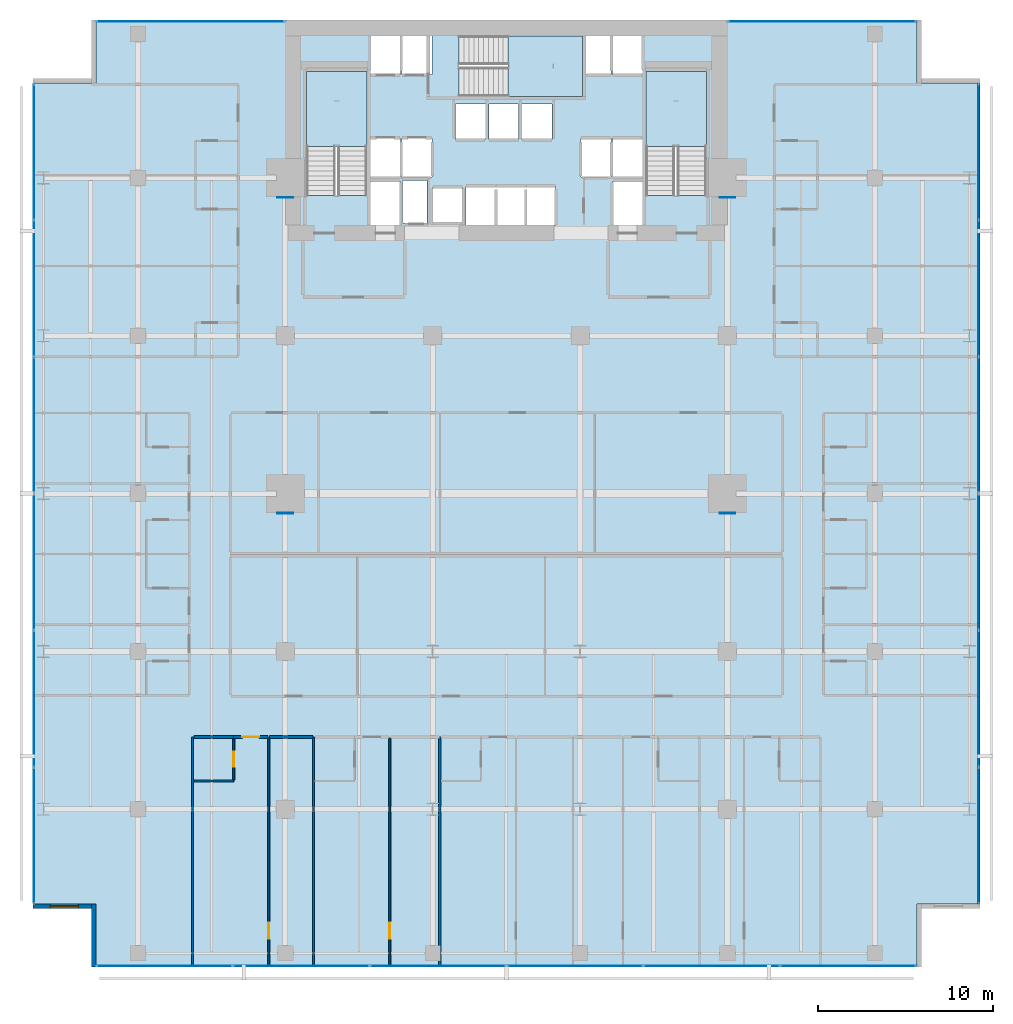
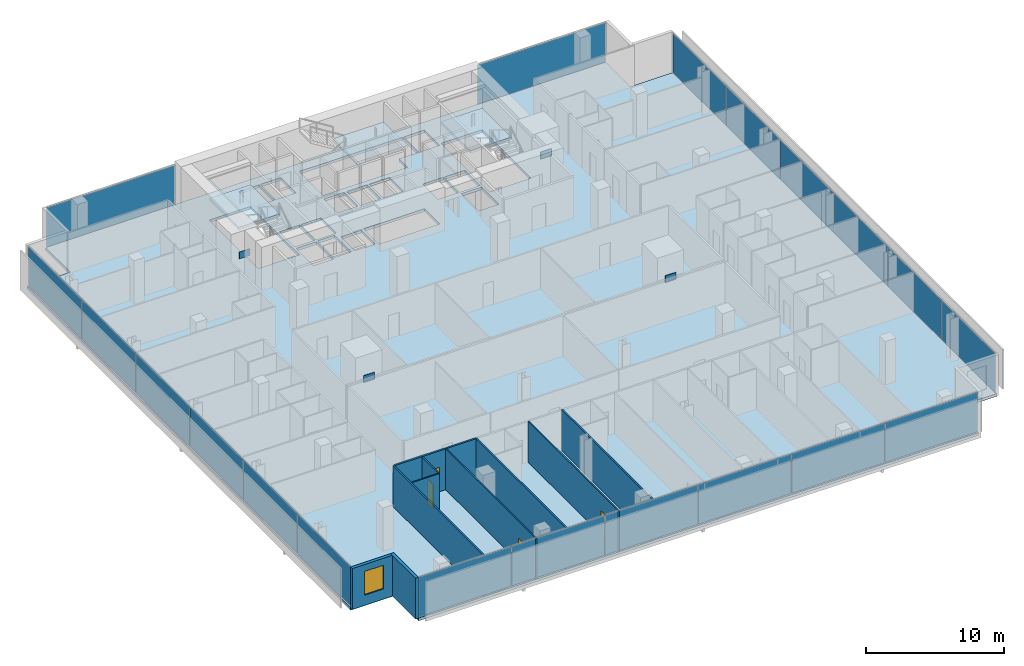
# One storey, part 32 of 40: 24 plates, 12 walls, 4 doors, 4 slabs, 1 window, 5 openings, 8 elements without a shape of their own.
"""IFC4 building model written with IfcOpenShell, lengths in metres."""

from ifc_helpers import new_model, si_unit, direction, frame, frame_2d, origin, origin_2d, place, context, subcontext, project, spatial, polyline, rectangle, outline, extrude, material, layer, layer_set, type_object, element, fill, aggregate, save


model = new_model("IFC4")

# Units and contexts
model_context = context("Model", 3, precision=1e-05, world=origin(), true_north=direction((0.0, 1.0)))
body_context = subcontext(model_context, "Body", "Model", "MODEL_VIEW")
ifc_project = project(units=[si_unit("LENGTHUNIT", "METRE"), si_unit("AREAUNIT", "SQUARE_METRE"), si_unit("VOLUMEUNIT", "CUBIC_METRE"), si_unit("PLANEANGLEUNIT", "RADIAN"), si_unit("MASSUNIT", "GRAM", prefix="KILO")], contexts=[model_context])

# Site, building, storey
site_placement = place(None, origin())
site = spatial("IfcSite", under=ifc_project, at=site_placement, CompositionType="ELEMENT")
building_placement = place(site_placement, origin())
building = spatial("IfcBuilding", under=site, at=building_placement, Name="Maruvema Waterfront Hotel and Observation Tower", CompositionType="ELEMENT")
storey_placement = place(building_placement, frame((0.0, 0.0, 80.85009765625)))
storey = spatial("IfcBuildingStorey", under=building, at=storey_placement, Name="L19", CompositionType="ELEMENT", Elevation=80.85009765625)

# Slab
ifc_material_1 = material(Name="Concrete C50/60", Category="concrete")
ifc_layer_1 = layer(ifc_material_1, 0.239990234375, Name="Reinforced Concrete Floor Slab 240 mm")
ifc_layer_set_1 = layer_set([ifc_layer_1], Name="Concrete C50/60")
slab_type_1 = type_object("IfcSlabType", Name="Reinforced Concrete Floor Slab 240 mm", PredefinedType="FLOOR", material=ifc_layer_set_1)
slab_1_placement = place(storey_placement, frame((0.0, 0.0, -0.239990234375)))
element("IfcSlab", 1, at=slab_1_placement, inside=storey, type_object=slab_type_1, Name="L19 Structural Floor Slab", PredefinedType="FLOOR", context=body_context, shape_type="SweptSolid", body=[
    extrude(outline(polyline([(14.39990234375, 0.0), (61.199951171875, 0.0), (61.199951171875, 3.60009765625), (64.800048828125, 3.60009765625), (64.800048828125, 50.39990234375), (61.199951171875, 50.39990234375), (61.199951171875, 54.0), (14.39990234375, 54.0), (14.39990234375, 50.39990234375), (10.800048828125, 50.39990234375), (10.800048828125, 3.60009765625), (14.39990234375, 3.60009765625), (14.39990234375, 0.0)]), holes=[polyline([(26.39990234375, 44.00048828125), (26.39990234375, 51.050048828125), (29.85009765625, 51.050048828125), (29.85009765625, 44.00048828125), (26.39990234375, 44.00048828125)]), polyline([(30.050048828125, 44.800048828125), (31.75, 44.800048828125), (31.75, 42.320068359375), (30.050048828125, 42.320068359375), (30.050048828125, 44.800048828125)]), polyline([(31.75, 47.25), (31.75, 45.050048828125), (30.050048828125, 45.050048828125), (30.050048828125, 47.25), (31.75, 47.25)]), polyline([(31.75, 53.10009765625), (31.75, 50.89990234375), (30.050048828125, 50.89990234375), (30.050048828125, 53.10009765625), (31.75, 53.10009765625)]), polyline([(33.280029296875, 44.860107421875), (33.280029296875, 42.43994140625), (31.8798828125, 42.43994140625), (31.8798828125, 44.860107421875), (33.280029296875, 44.860107421875)]), polyline([(31.85009765625, 47.25), (33.550048828125, 47.25), (33.550048828125, 45.050048828125), (31.85009765625, 45.050048828125), (31.85009765625, 47.25)]), polyline([(31.85009765625, 53.10009765625), (33.550048828125, 53.10009765625), (33.550048828125, 50.89990234375), (31.85009765625, 50.89990234375), (31.85009765625, 53.10009765625)]), polyline([(33.60009765625, 44.449951171875), (35.300048828125, 44.449951171875), (35.300048828125, 42.449951171875), (33.60009765625, 42.449951171875), (33.60009765625, 44.449951171875)]), polyline([(34.89990234375, 49.199951171875), (36.60009765625, 49.199951171875), (36.60009765625, 47.199951171875), (34.89990234375, 47.199951171875), (34.89990234375, 49.199951171875)]), polyline([(38.5, 49.199951171875), (38.5, 47.199951171875), (36.800048828125, 47.199951171875), (36.800048828125, 49.199951171875), (38.5, 49.199951171875)]), polyline([(35.5, 44.5), (40.60009765625, 44.5), (40.60009765625, 42.300048828125), (35.5, 42.300048828125), (35.5, 44.5)]), polyline([(43.75, 50.89990234375), (42.14990234375, 50.89990234375), (42.14990234375, 49.64990234375), (35.1005859375, 49.64990234375), (35.1005859375, 53.10009765625), (43.75, 53.10009765625), (43.75, 50.89990234375)]), polyline([(40.39990234375, 49.199951171875), (40.39990234375, 47.199951171875), (38.699951171875, 47.199951171875), (38.699951171875, 49.199951171875), (40.39990234375, 49.199951171875)]), polyline([(43.75, 47.25), (43.75, 45.050048828125), (42.050048828125, 45.050048828125), (42.050048828125, 47.25), (43.75, 47.25)]), polyline([(45.550048828125, 44.800048828125), (45.550048828125, 42.320068359375), (43.85009765625, 42.320068359375), (43.85009765625, 44.800048828125), (45.550048828125, 44.800048828125)]), polyline([(43.85009765625, 47.25), (45.550048828125, 47.25), (45.550048828125, 45.050048828125), (43.85009765625, 45.050048828125), (43.85009765625, 47.25)]), polyline([(45.550048828125, 53.10009765625), (45.550048828125, 50.89990234375), (43.85009765625, 50.89990234375), (43.85009765625, 53.10009765625), (45.550048828125, 53.10009765625)]), polyline([(45.75, 51.050048828125), (49.199951171875, 51.050048828125), (49.199951171875, 44.00048828125), (45.75, 44.00048828125), (45.75, 51.050048828125)])]), origin(), (0.0, 0.0, 1.0), 0.239990234375),
])

# Curtain wall, plates
ifc_material_2 = material(Name="Anodised bronze aluminium and solar-control low-E IGU", Category="aluminium")
ifc_layer_2 = layer(ifc_material_2, 0.159912109375, Name="Zone 1 Bronze Inner Thermal Curtain Wall System CW-02")
ifc_layer_set_2 = layer_set([ifc_layer_2], Name="Anodised bronze aluminium and solar-control low-E IGU")
curtain_wall_type = type_object("IfcCurtainWallType", Name="Zone 1 Bronze Inner Thermal Curtain Wall System CW-02", PredefinedType="USERDEFINED", material=ifc_layer_set_2)
curtain_wall_1_placement = place(storey_placement, origin())
curtain_wall_1 = element("IfcCurtainWall", 2, at=curtain_wall_1_placement, inside=storey, type_object=curtain_wall_type, Name="L19 Curtain Wall CW-L19-S", ObjectType="UNITISED CURTAIN WALL", PredefinedType="USERDEFINED")
ifc_material_3 = material(Name="Laminated low-E solar-control double glazing", Category="glass")
ifc_layer_3 = layer(ifc_material_3, 0.035888671875, Name="Solar Control Double-Glazed Curtain Panel 36 mm")
ifc_layer_set_3 = layer_set([ifc_layer_3], Name="Laminated low-E solar-control double glazing")
plate_type_1 = type_object("IfcPlateType", Name="Solar Control Double-Glazed Curtain Panel 36 mm", PredefinedType="CURTAIN_PANEL", material=ifc_layer_set_3)
plate_1_placement = place(storey_placement, frame((18.31494140625, 0.080078125, 0.06005859375), z_axis=(0.0, 0.0, 1.0), x_axis=(1.0, 0.0, 0.0)))
plate_1 = element("IfcPlate", 3, at=plate_1_placement, type_object=plate_type_1, Name="CW-02 panel 1.1", PredefinedType="CURTAIN_PANEL", context=body_context, shape_type="SweptSolid", body=[
    extrude(rectangle(XDim=7.7099609375, YDim=0.028076171875, at=origin_2d()), origin(), (0.0, 0.0, 1.0), 3.489990234375),
])
plate_2_placement = place(storey_placement, frame((26.10009765625, 0.080078125, 0.06005859375), z_axis=(0.0, 0.0, 1.0), x_axis=(1.0, 0.0, 0.0)))
plate_2 = element("IfcPlate", 4, at=plate_2_placement, type_object=plate_type_1, Name="CW-02 panel 2.1", PredefinedType="CURTAIN_PANEL", context=body_context, shape_type="SweptSolid", body=[
    extrude(rectangle(XDim=7.739990234375, YDim=0.028076171875, at=origin_2d()), origin(), (0.0, 0.0, 1.0), 3.489990234375),
])
plate_3_placement = place(storey_placement, frame((33.89990234375, 0.080078125, 0.06005859375), z_axis=(0.0, 0.0, 1.0), x_axis=(1.0, 0.0, 0.0)))
plate_3 = element("IfcPlate", 5, at=plate_3_placement, type_object=plate_type_1, Name="CW-02 panel 3.1", PredefinedType="CURTAIN_PANEL", context=body_context, shape_type="SweptSolid", body=[
    extrude(rectangle(XDim=7.739990234375, YDim=0.028076171875, at=origin_2d()), origin(), (0.0, 0.0, 1.0), 3.489990234375),
])
plate_4_placement = place(storey_placement, frame((41.699951171875, 0.080078125, 0.06005859375), z_axis=(0.0, 0.0, 1.0), x_axis=(1.0, 0.0, 0.0)))
plate_4 = element("IfcPlate", 6, at=plate_4_placement, type_object=plate_type_1, Name="CW-02 panel 4.1", PredefinedType="CURTAIN_PANEL", context=body_context, shape_type="SweptSolid", body=[
    extrude(rectangle(XDim=7.739990234375, YDim=0.028076171875, at=origin_2d()), origin(), (0.0, 0.0, 1.0), 3.489990234375),
])
plate_5_placement = place(storey_placement, frame((49.5, 0.080078125, 0.06005859375), z_axis=(0.0, 0.0, 1.0), x_axis=(1.0, 0.0, 0.0)))
plate_5 = element("IfcPlate", 7, at=plate_5_placement, type_object=plate_type_1, Name="CW-02 panel 5.1", PredefinedType="CURTAIN_PANEL", context=body_context, shape_type="SweptSolid", body=[
    extrude(rectangle(XDim=7.739990234375, YDim=0.028076171875, at=origin_2d()), origin(), (0.0, 0.0, 1.0), 3.489990234375),
])
plate_6_placement = place(storey_placement, frame((57.284912109375, 0.080078125, 0.06005859375), z_axis=(0.0, 0.0, 1.0), x_axis=(1.0, 0.0, 0.0)))
plate_6 = element("IfcPlate", 8, at=plate_6_placement, type_object=plate_type_1, Name="CW-02 panel 6.1", PredefinedType="CURTAIN_PANEL", context=body_context, shape_type="SweptSolid", body=[
    extrude(rectangle(XDim=7.7099609375, YDim=0.028076171875, at=origin_2d()), origin(), (0.0, 0.0, 1.0), 3.489990234375),
])
aggregate(curtain_wall_1, [plate_1, plate_2, plate_3, plate_4, plate_5, plate_6])

curtain_wall_2_placement = place(storey_placement, origin())
curtain_wall_2 = element("IfcCurtainWall", 9, at=curtain_wall_2_placement, inside=storey, type_object=curtain_wall_type, Name="L19 Curtain Wall CW-L19-E", ObjectType="UNITISED CURTAIN WALL", PredefinedType="USERDEFINED")
plate_7_placement = place(storey_placement, frame((64.719970703125, 7.514892578125, 0.06005859375), z_axis=(0.0, 0.0, 1.0), x_axis=(0.0, 1.0, 0.0)))
plate_7 = element("IfcPlate", 10, at=plate_7_placement, type_object=plate_type_1, Name="CW-02 panel 1.1", PredefinedType="CURTAIN_PANEL", context=body_context, shape_type="SweptSolid", body=[
    extrude(rectangle(XDim=7.7099609375, YDim=0.028076171875, at=origin_2d()), origin(), (0.0, 0.0, 1.0), 3.489990234375),
])
plate_8_placement = place(storey_placement, frame((64.719970703125, 15.300048828125, 0.06005859375), z_axis=(0.0, 0.0, 1.0), x_axis=(0.0, 1.0, 0.0)))
plate_8 = element("IfcPlate", 11, at=plate_8_placement, type_object=plate_type_1, Name="CW-02 panel 2.1", PredefinedType="CURTAIN_PANEL", context=body_context, shape_type="SweptSolid", body=[
    extrude(rectangle(XDim=7.739990234375, YDim=0.028076171875, at=origin_2d()), origin(), (0.0, 0.0, 1.0), 3.489990234375),
])
plate_9_placement = place(storey_placement, frame((64.719970703125, 23.10009765625, 0.06005859375), z_axis=(0.0, 0.0, 1.0), x_axis=(0.0, 1.0, 0.0)))
plate_9 = element("IfcPlate", 12, at=plate_9_placement, type_object=plate_type_1, Name="CW-02 panel 3.1", PredefinedType="CURTAIN_PANEL", context=body_context, shape_type="SweptSolid", body=[
    extrude(rectangle(XDim=7.739990234375, YDim=0.028076171875, at=origin_2d()), origin(), (0.0, 0.0, 1.0), 3.489990234375),
])
plate_10_placement = place(storey_placement, frame((64.719970703125, 30.89990234375, 0.06005859375), z_axis=(0.0, 0.0, 1.0), x_axis=(0.0, 1.0, 0.0)))
plate_10 = element("IfcPlate", 13, at=plate_10_placement, type_object=plate_type_1, Name="CW-02 panel 4.1", PredefinedType="CURTAIN_PANEL", context=body_context, shape_type="SweptSolid", body=[
    extrude(rectangle(XDim=7.739990234375, YDim=0.028076171875, at=origin_2d()), origin(), (0.0, 0.0, 1.0), 3.489990234375),
])
plate_11_placement = place(storey_placement, frame((64.719970703125, 38.699951171875, 0.06005859375), z_axis=(0.0, 0.0, 1.0), x_axis=(0.0, 1.0, 0.0)))
plate_11 = element("IfcPlate", 14, at=plate_11_placement, type_object=plate_type_1, Name="CW-02 panel 5.1", PredefinedType="CURTAIN_PANEL", context=body_context, shape_type="SweptSolid", body=[
    extrude(rectangle(XDim=7.739990234375, YDim=0.028076171875, at=origin_2d()), origin(), (0.0, 0.0, 1.0), 3.489990234375),
])
plate_12_placement = place(storey_placement, frame((64.719970703125, 46.485107421875, 0.06005859375), z_axis=(0.0, 0.0, 1.0), x_axis=(0.0, 1.0, 0.0)))
plate_12 = element("IfcPlate", 15, at=plate_12_placement, type_object=plate_type_1, Name="CW-02 panel 6.1", PredefinedType="CURTAIN_PANEL", context=body_context, shape_type="SweptSolid", body=[
    extrude(rectangle(XDim=7.7099609375, YDim=0.028076171875, at=origin_2d()), origin(), (0.0, 0.0, 1.0), 3.489990234375),
])
aggregate(curtain_wall_2, [plate_7, plate_8, plate_9, plate_10, plate_11, plate_12])

curtain_wall_3_placement = place(storey_placement, origin())
curtain_wall_3 = element("IfcCurtainWall", 16, at=curtain_wall_3_placement, inside=storey, type_object=curtain_wall_type, Name="L19 Curtain Wall CW-L19-W", ObjectType="UNITISED CURTAIN WALL", PredefinedType="USERDEFINED")
plate_13_placement = place(storey_placement, frame((10.8798828125, 46.485107421875, 0.06005859375), z_axis=(0.0, 0.0, 1.0), x_axis=(0.0, -1.0, 0.0)))
plate_13 = element("IfcPlate", 17, at=plate_13_placement, type_object=plate_type_1, Name="CW-02 panel 1.1", PredefinedType="CURTAIN_PANEL", context=body_context, shape_type="SweptSolid", body=[
    extrude(rectangle(XDim=7.7099609375, YDim=0.028076171875, at=origin_2d()), origin(), (0.0, 0.0, 1.0), 3.489990234375),
])
plate_14_placement = place(storey_placement, frame((10.8798828125, 38.699951171875, 0.06005859375), z_axis=(0.0, 0.0, 1.0), x_axis=(0.0, -1.0, 0.0)))
plate_14 = element("IfcPlate", 18, at=plate_14_placement, type_object=plate_type_1, Name="CW-02 panel 2.1", PredefinedType="CURTAIN_PANEL", context=body_context, shape_type="SweptSolid", body=[
    extrude(rectangle(XDim=7.739990234375, YDim=0.028076171875, at=origin_2d()), origin(), (0.0, 0.0, 1.0), 3.489990234375),
])
plate_15_placement = place(storey_placement, frame((10.8798828125, 30.89990234375, 0.06005859375), z_axis=(0.0, 0.0, 1.0), x_axis=(0.0, -1.0, 0.0)))
plate_15 = element("IfcPlate", 19, at=plate_15_placement, type_object=plate_type_1, Name="CW-02 panel 3.1", PredefinedType="CURTAIN_PANEL", context=body_context, shape_type="SweptSolid", body=[
    extrude(rectangle(XDim=7.739990234375, YDim=0.028076171875, at=origin_2d()), origin(), (0.0, 0.0, 1.0), 3.489990234375),
])
plate_16_placement = place(storey_placement, frame((10.8798828125, 23.10009765625, 0.06005859375), z_axis=(0.0, 0.0, 1.0), x_axis=(0.0, -1.0, 0.0)))
plate_16 = element("IfcPlate", 20, at=plate_16_placement, type_object=plate_type_1, Name="CW-02 panel 4.1", PredefinedType="CURTAIN_PANEL", context=body_context, shape_type="SweptSolid", body=[
    extrude(rectangle(XDim=7.739990234375, YDim=0.028076171875, at=origin_2d()), origin(), (0.0, 0.0, 1.0), 3.489990234375),
])
plate_17_placement = place(storey_placement, frame((10.8798828125, 15.300048828125, 0.06005859375), z_axis=(0.0, 0.0, 1.0), x_axis=(0.0, -1.0, 0.0)))
plate_17 = element("IfcPlate", 21, at=plate_17_placement, type_object=plate_type_1, Name="CW-02 panel 5.1", PredefinedType="CURTAIN_PANEL", context=body_context, shape_type="SweptSolid", body=[
    extrude(rectangle(XDim=7.739990234375, YDim=0.028076171875, at=origin_2d()), origin(), (0.0, 0.0, 1.0), 3.489990234375),
])
plate_18_placement = place(storey_placement, frame((10.8798828125, 7.514892578125, 0.06005859375), z_axis=(0.0, 0.0, 1.0), x_axis=(0.0, -1.0, 0.0)))
plate_18 = element("IfcPlate", 22, at=plate_18_placement, type_object=plate_type_1, Name="CW-02 panel 6.1", PredefinedType="CURTAIN_PANEL", context=body_context, shape_type="SweptSolid", body=[
    extrude(rectangle(XDim=7.7099609375, YDim=0.028076171875, at=origin_2d()), origin(), (0.0, 0.0, 1.0), 3.489990234375),
])
aggregate(curtain_wall_3, [plate_13, plate_14, plate_15, plate_16, plate_17, plate_18])

# Curtain wall, plate
curtain_wall_4_placement = place(storey_placement, origin())
curtain_wall_4 = element("IfcCurtainWall", 23, at=curtain_wall_4_placement, inside=storey, type_object=curtain_wall_type, Name="L19 Curtain Wall CW-L19-NW", ObjectType="UNITISED CURTAIN WALL", PredefinedType="USERDEFINED")
plate_19_placement = place(storey_placement, frame((19.800048828125, 53.919921875, 0.06005859375), z_axis=(0.0, 0.0, 1.0), x_axis=(-1.0, 0.0, 0.0)))
plate_19 = element("IfcPlate", 24, at=plate_19_placement, type_object=plate_type_1, Name="CW-02 panel 1.1", PredefinedType="CURTAIN_PANEL", context=body_context, shape_type="SweptSolid", body=[
    extrude(rectangle(XDim=10.679931640625, YDim=0.028076171875, at=origin_2d()), origin(), (0.0, 0.0, 1.0), 3.489990234375),
])
aggregate(curtain_wall_4, [plate_19])

curtain_wall_5_placement = place(storey_placement, origin())
curtain_wall_5 = element("IfcCurtainWall", 25, at=curtain_wall_5_placement, inside=storey, type_object=curtain_wall_type, Name="L19 Curtain Wall CW-L19-NE", ObjectType="UNITISED CURTAIN WALL", PredefinedType="USERDEFINED")
plate_20_placement = place(storey_placement, frame((55.800048828125, 53.919921875, 0.06005859375), z_axis=(0.0, 0.0, 1.0), x_axis=(-1.0, 0.0, 0.0)))
plate_20 = element("IfcPlate", 26, at=plate_20_placement, type_object=plate_type_1, Name="CW-02 panel 1.1", PredefinedType="CURTAIN_PANEL", context=body_context, shape_type="SweptSolid", body=[
    extrude(rectangle(XDim=10.679931640625, YDim=0.028076171875, at=origin_2d()), origin(), (0.0, 0.0, 1.0), 3.489990234375),
])
aggregate(curtain_wall_5, [plate_20])

# Stair, slab
ifc_material_4 = material(Name="Concrete C50/60", Category="concrete")
stair_type = type_object("IfcStairType", Name="Dogleg Exit Stair 1650 mm (22R x 175.0 mm)", PredefinedType="HALF_TURN_STAIR", material=ifc_material_4)
stair_1_placement = place(storey_placement, origin())
stair_1 = element("IfcStair", 27, at=stair_1_placement, inside=storey, type_object=stair_type, Name="L19 ST-01", PredefinedType="HALF_TURN_STAIR")
ifc_material_5 = material(Name="Concrete C50/60", Category="concrete")
ifc_layer_4 = layer(ifc_material_5, 0.219970703125, Name="Stair Concrete Landing Slab 220 mm")
ifc_layer_set_4 = layer_set([ifc_layer_4], Name="Concrete C50/60")
slab_type_2 = type_object("IfcSlabType", Name="Stair Concrete Landing Slab 220 mm", PredefinedType="LANDING", material=ifc_layer_set_4)
slab_2_placement = place(storey_placement, frame((0.0, 0.0, 1.704833984375)))
slab_2 = element("IfcSlab", 28, at=slab_2_placement, type_object=slab_type_2, Name="ST-01 landing 1", PredefinedType="LANDING", context=body_context, shape_type="SweptSolid", body=[
    extrude(outline(polyline([(29.85009765625, 46.800048828125), (29.85009765625, 51.050048828125), (26.39990234375, 51.050048828125), (26.39990234375, 46.800048828125), (29.85009765625, 46.800048828125)])), origin(), (0.0, 0.0, 1.0), 0.219970703125),
])
aggregate(stair_1, [slab_2])

stair_2_placement = place(storey_placement, origin())
stair_2 = element("IfcStair", 29, at=stair_2_placement, inside=storey, type_object=stair_type, Name="L19 ST-02", PredefinedType="HALF_TURN_STAIR")
slab_3_placement = place(storey_placement, frame((0.0, 0.0, 1.704833984375)))
slab_3 = element("IfcSlab", 30, at=slab_3_placement, type_object=slab_type_2, Name="ST-02 landing 1", PredefinedType="LANDING", context=body_context, shape_type="SweptSolid", body=[
    extrude(outline(polyline([(37.89990234375, 49.64990234375), (42.14990234375, 49.64990234375), (42.14990234375, 53.10009765625), (37.89990234375, 53.10009765625), (37.89990234375, 49.64990234375)])), origin(), (0.0, 0.0, 1.0), 0.219970703125),
])
aggregate(stair_2, [slab_3])

stair_3_placement = place(storey_placement, origin())
stair_3 = element("IfcStair", 31, at=stair_3_placement, inside=storey, type_object=stair_type, Name="L19 ST-03", PredefinedType="HALF_TURN_STAIR")
slab_4_placement = place(storey_placement, frame((0.0, 0.0, 1.704833984375)))
slab_4 = element("IfcSlab", 32, at=slab_4_placement, type_object=slab_type_2, Name="ST-03 landing 1", PredefinedType="LANDING", context=body_context, shape_type="SweptSolid", body=[
    extrude(outline(polyline([(49.199951171875, 46.800048828125), (49.199951171875, 51.050048828125), (45.75, 51.050048828125), (45.75, 46.800048828125), (49.199951171875, 46.800048828125)])), origin(), (0.0, 0.0, 1.0), 0.219970703125),
])
aggregate(stair_3, [slab_4])

# Plates
ifc_material_6 = material(Name="Steel ABNT NBR 7007 AR 415 (ASTM A572 Grade 50)", Category="steel")
ifc_layer_5 = layer(ifc_material_6, 0.0400390625, Name="Structural Truss Node Gusset Plate 40 mm")
ifc_layer_set_5 = layer_set([ifc_layer_5], Name="Steel ABNT NBR 7007 AR 415 (ASTM A572 Grade 50)")
plate_type_2 = type_object("IfcPlateType", Name="Structural Truss Node Gusset Plate 40 mm", PredefinedType="USERDEFINED", material=ifc_layer_set_5)
for number, where, z_axis, x_axis, name in (
    (33, (25.199951171875, 25.8798828125, 1.499755859375), (0.0, 0.0, 1.0), (1.0, 0.0, 0.0), "L19 MC-01 Moment Frame Continuity Gusset Plate"),
    (34, (50.39990234375, 25.8798828125, 1.499755859375), (0.0, 0.0, 1.0), (1.0, 0.0, 0.0), "L19 MC-02 Moment Frame Continuity Gusset Plate"),
    (35, (25.199951171875, 43.8798828125, 1.499755859375), (0.0, 0.0, 1.0), (1.0, 0.0, 0.0), "L19 MC-03 Moment Frame Continuity Gusset Plate"),
    (36, (50.39990234375, 43.8798828125, 1.499755859375), (0.0, 0.0, 1.0), (1.0, 0.0, 0.0), "L19 MC-04 Moment Frame Continuity Gusset Plate"),
):
    element("IfcPlate", number, at=place(storey_placement, frame(where, z_axis=z_axis, x_axis=x_axis)), inside=storey, type_object=plate_type_2, Name=name, ObjectType="GUSSET_PLATE", PredefinedType="USERDEFINED", context=body_context, shape_type="SweptSolid", body=[
        extrude(rectangle(XDim=0.89990234375, YDim=0.0400390625, at=origin_2d()), origin(), (0.0, 0.0, 1.0), 0.60009765625),
    ])

# Wall
ifc_material_7 = material(Name="Twin-stud acoustic gypsum drywall", Category="gypsum")
ifc_layer_6 = layer(ifc_material_7, 0.14990234375, Name="Acoustic Corridor and Suite Demising Wall 150 mm")
ifc_layer_set_6 = layer_set([ifc_layer_6], Name="Twin-stud acoustic gypsum drywall")
wall_type_1 = type_object("IfcWallType", Name="Acoustic Corridor and Suite Demising Wall 150 mm", PredefinedType="PARTITIONING", material=ifc_layer_set_6)
wall_1_placement = place(storey_placement, frame((19.97998046875, 13.1201171875, 0.0), z_axis=(0.0, 0.0, 1.0), x_axis=(1.0, 0.0, 0.0)))
element("IfcWall", 37, at=wall_1_placement, inside=storey, type_object=wall_type_1, Name="L19 Bath L19-S1 Back Wall 032", PredefinedType="PARTITIONING", context=body_context, shape_type="SweptSolid", body=[
    extrude(rectangle(XDim=2.27001953125, YDim=0.14990234375, at=frame_2d((1.135009765625, 0.0))), origin(), (0.0, 0.0, 1.0), 3.60986328125),
])

# Wall, opening, door
wall_2_placement = place(storey_placement, frame((22.25, 13.1201171875, 0.0), z_axis=(0.0, 0.0, 1.0), x_axis=(1.0, 0.0, 0.0)))
wall_2 = element("IfcWall", 38, at=wall_2_placement, inside=storey, type_object=wall_type_1, Name="L19 Unit L19-S1 Corridor Wall 035", PredefinedType="PARTITIONING", context=body_context, shape_type="SweptSolid", body=[
    extrude(rectangle(XDim=1.9599609375, YDim=0.14990234375, at=frame_2d((0.97998046875, 0.0))), origin(), (0.0, 0.0, 1.0), 3.60986328125),
])
opening_1_placement = place(wall_2_placement, frame((0.5048828125, 0.0, 0.0)))
opening_1 = element("IfcOpeningElement", 39, at=opening_1_placement, cuts=wall_2, Name="Opening DR-095", PredefinedType="OPENING", context=body_context, shape_type="SweptSolid", body=[
    extrude(rectangle(XDim=0.949951171875, YDim=2.14990234375, at=frame_2d((0.47509765625, 1.074951171875))), frame((0.0, 0.0849609375, 0.0), z_axis=(0.0, -1.0, 0.0), x_axis=(1.0, 0.0, 0.0)), (0.0, 0.0, 1.0), 0.169921875),
])
ifc_material_8 = material(Name="Acoustic solid-core hardwood timber leaf", Category="wood")
door_type_1 = type_object("IfcDoorType", Name="Guestroom Entrance Fire Door 950x2150 mm", OperationType="NOTDEFINED", PredefinedType="DOOR", material=ifc_material_8)
door_1_placement = place(opening_1_placement, frame((0.949951171875, 0.0, 0.0), z_axis=(0.0, 0.0, 1.0), x_axis=(-1.0, 0.0, 0.0)))
door_1 = element("IfcDoor", 40, at=door_1_placement, inside=storey, type_object=door_type_1, Name="L19 Unit L19-S1 Entrance Door", OperationType="SINGLE_SWING_RIGHT", OverallHeight=2.14990234375, OverallWidth=0.949951171875, PredefinedType="DOOR", context=body_context, shape_type="SweptSolid", body=[
    extrude(rectangle(XDim=0.949951171875, YDim=2.14990234375, at=frame_2d((0.47509765625, 1.074951171875))), frame((0.0, 0.02490234375, 0.0), z_axis=(0.0, -1.0, 0.0), x_axis=(1.0, 0.0, 0.0)), (0.0, 0.0, 1.0), 0.050048828125),
])
fill(opening_1, door_1)

# Walls
wall_3_placement = place(storey_placement, frame((24.2900390625, 13.1201171875, 0.0), z_axis=(0.0, 0.0, 1.0), x_axis=(1.0, 0.0, 0.0)))
element("IfcWall", 41, at=wall_3_placement, inside=storey, type_object=wall_type_1, Name="L19 Bedroom L19-S1 Back Wall 036", PredefinedType="PARTITIONING", context=body_context, shape_type="SweptSolid", body=[
    extrude(rectangle(XDim=2.489990234375, YDim=0.14990234375, at=frame_2d((1.2451171875, 0.0))), origin(), (0.0, 0.0, 1.0), 3.60986328125),
])
ifc_material_9 = material(Name="Moisture-resistant cement-board drywall", Category="gypsum")
ifc_layer_7 = layer(ifc_material_9, 0.10009765625, Name="En-Suite Moisture-Resistant Partition 100 mm")
ifc_layer_set_7 = layer_set([ifc_layer_7], Name="Moisture-resistant cement-board drywall")
wall_type_2 = type_object("IfcWallType", Name="En-Suite Moisture-Resistant Partition 100 mm", PredefinedType="PARTITIONING", material=ifc_layer_set_7)
wall_4_placement = place(storey_placement, frame((19.97998046875, 10.6201171875, 0.0), z_axis=(0.0, 0.0, 1.0), x_axis=(1.0, 0.0, 0.0)))
element("IfcWall", 42, at=wall_4_placement, inside=storey, type_object=wall_type_2, Name="L19 En-Suite L19-S1 South 033", PredefinedType="PARTITIONING", context=body_context, shape_type="SweptSolid", body=[
    extrude(rectangle(XDim=2.27001953125, YDim=0.10009765625, at=frame_2d((1.135009765625, 0.0))), origin(), (0.0, 0.0, 1.0), 3.60986328125),
])

# Wall, opening, door
wall_5_placement = place(storey_placement, frame((22.25, 10.679931640625, 0.0), z_axis=(0.0, 0.0, 1.0), x_axis=(0.0, 1.0, 0.0)))
wall_5 = element("IfcWall", 43, at=wall_5_placement, inside=storey, type_object=wall_type_2, Name="L19 En-Suite L19-S1 East 034", PredefinedType="PARTITIONING", context=body_context, shape_type="SweptSolid", body=[
    extrude(rectangle(XDim=2.340087890625, YDim=0.10009765625, at=frame_2d((1.169921875, 0.0))), origin(), (0.0, 0.0, 1.0), 3.60986328125),
])
opening_2_placement = place(wall_5_placement, frame((0.7451171875, 0.0, 0.0)))
opening_2 = element("IfcOpeningElement", 44, at=opening_2_placement, cuts=wall_5, Name="Opening DR-085", PredefinedType="OPENING", context=body_context, shape_type="SweptSolid", body=[
    extrude(rectangle(XDim=0.85009765625, YDim=2.10009765625, at=frame_2d((0.425048828125, 1.050048828125))), frame((0.0, 0.06005859375, 0.0), z_axis=(0.0, -1.0, 0.0), x_axis=(1.0, 0.0, 0.0)), (0.0, 0.0, 1.0), 0.1201171875),
])
ifc_material_10 = material(Name="Moisture-resistant solid timber leaf", Category="wood")
door_type_2 = type_object("IfcDoorType", Name="En-Suite Bathroom Door 850x2100 mm", OperationType="NOTDEFINED", PredefinedType="DOOR", material=ifc_material_10)
door_2_placement = place(opening_2_placement, frame((0.85009765625, 0.0, 0.0), z_axis=(0.0, 0.0, 1.0), x_axis=(-1.0, 0.0, 0.0)))
door_2 = element("IfcDoor", 45, at=door_2_placement, inside=storey, type_object=door_type_2, Name="L19 En-Suite L19-S1 Door", OperationType="SINGLE_SWING_LEFT", OverallHeight=2.10009765625, OverallWidth=0.85009765625, PredefinedType="DOOR", context=body_context, shape_type="SweptSolid", body=[
    extrude(rectangle(XDim=0.85009765625, YDim=2.10009765625, at=frame_2d((0.425048828125, 1.050048828125))), frame((0.0, 0.02490234375, 0.0), z_axis=(0.0, -1.0, 0.0), x_axis=(1.0, 0.0, 0.0)), (0.0, 0.0, 1.0), 0.050048828125),
])
fill(opening_2, door_2)

wall_6_placement = place(storey_placement, frame((24.25, 0.030029296875, 0.0), z_axis=(0.0, 0.0, 1.0), x_axis=(0.0, 1.0, 0.0)))
wall_6 = element("IfcWall", 46, at=wall_6_placement, inside=storey, type_object=wall_type_2, Name="L19 Suite L19-S1 Split 037", PredefinedType="PARTITIONING", context=body_context, shape_type="SweptSolid", body=[
    extrude(rectangle(XDim=13.030029296875, YDim=0.10009765625, at=frame_2d((6.51513671875, 0.0))), origin(), (0.0, 0.0, 1.0), 3.60986328125),
])
opening_3_placement = place(wall_6_placement, frame((1.60009765625, 0.0, 0.0)))
opening_3 = element("IfcOpeningElement", 47, at=opening_3_placement, cuts=wall_6, Name="Opening DR-090", PredefinedType="OPENING", context=body_context, shape_type="SweptSolid", body=[
    extrude(rectangle(XDim=0.89990234375, YDim=2.10009765625, at=frame_2d((0.449951171875, 1.050048828125))), frame((0.0, 0.06005859375, 0.0), z_axis=(0.0, -1.0, 0.0), x_axis=(1.0, 0.0, 0.0)), (0.0, 0.0, 1.0), 0.1201171875),
])
ifc_material_11 = material(Name="Solid-core lacquered timber leaf", Category="wood")
door_type_3 = type_object("IfcDoorType", Name="Accessible Toilet and Room Door 900x2100 mm", OperationType="NOTDEFINED", PredefinedType="DOOR", material=ifc_material_11)
door_3_placement = place(opening_3_placement, origin())
door_3 = element("IfcDoor", 48, at=door_3_placement, inside=storey, type_object=door_type_3, Name="L19 Suite L19-S1 Bedroom Door", OperationType="SINGLE_SWING_LEFT", OverallHeight=2.10009765625, OverallWidth=0.89990234375, PredefinedType="DOOR", context=body_context, shape_type="SweptSolid", body=[
    extrude(rectangle(XDim=0.89990234375, YDim=2.10009765625, at=frame_2d((0.449951171875, 1.050048828125))), frame((0.0, 0.02490234375, 0.0), z_axis=(0.0, -1.0, 0.0), x_axis=(1.0, 0.0, 0.0)), (0.0, 0.0, 1.0), 0.050048828125),
])
fill(opening_3, door_3)

wall_7_placement = place(storey_placement, frame((31.14990234375, 0.030029296875, 0.0), z_axis=(0.0, 0.0, 1.0), x_axis=(0.0, 1.0, 0.0)))
wall_7 = element("IfcWall", 49, at=wall_7_placement, inside=storey, type_object=wall_type_2, Name="L19 Suite L19-S2 Split 044", PredefinedType="PARTITIONING", context=body_context, shape_type="SweptSolid", body=[
    extrude(rectangle(XDim=13.030029296875, YDim=0.10009765625, at=frame_2d((6.51513671875, 0.0))), origin(), (0.0, 0.0, 1.0), 3.60986328125),
])
opening_4_placement = place(wall_7_placement, frame((1.60009765625, 0.0, 0.0)))
opening_4 = element("IfcOpeningElement", 50, at=opening_4_placement, cuts=wall_7, Name="Opening DR-090", PredefinedType="OPENING", context=body_context, shape_type="SweptSolid", body=[
    extrude(rectangle(XDim=0.89990234375, YDim=2.10009765625, at=frame_2d((0.449951171875, 1.050048828125))), frame((0.0, 0.06005859375, 0.0), z_axis=(0.0, -1.0, 0.0), x_axis=(1.0, 0.0, 0.0)), (0.0, 0.0, 1.0), 0.1201171875),
])
door_4_placement = place(opening_4_placement, origin())
door_4 = element("IfcDoor", 51, at=door_4_placement, inside=storey, type_object=door_type_3, Name="L19 Suite L19-S2 Bedroom Door", OperationType="SINGLE_SWING_RIGHT", OverallHeight=2.10009765625, OverallWidth=0.89990234375, PredefinedType="DOOR", context=body_context, shape_type="SweptSolid", body=[
    extrude(rectangle(XDim=0.89990234375, YDim=2.10009765625, at=frame_2d((0.449951171875, 1.050048828125))), frame((0.0, 0.02490234375, 0.0), z_axis=(0.0, -1.0, 0.0), x_axis=(1.0, 0.0, 0.0)), (0.0, 0.0, 1.0), 0.050048828125),
])
fill(opening_4, door_4)

# Wall
ifc_material_12 = material(Name="Precast concrete C45/55 with honed Pernambuco granite facing", Category="masonry")
ifc_layer_8 = layer(ifc_material_12, 0.260009765625, Name="Exterior Granite Clad Spandrel and Pier Wall 260 mm")
ifc_layer_set_8 = layer_set([ifc_layer_8], Name="Precast concrete C45/55 with honed Pernambuco granite facing")
wall_type_3 = type_object("IfcWallType", Name="Exterior Granite Clad Spandrel and Pier Wall 260 mm", PredefinedType="SOLIDWALL", material=ifc_layer_set_8)
wall_8_placement = place(storey_placement, frame((14.27001953125, 0.0, 0.0), z_axis=(0.0, 0.0, 1.0), x_axis=(0.0, 1.0, 0.0)))
element("IfcWall", 52, at=wall_8_placement, inside=storey, type_object=wall_type_3, Name="L19 Corner Notch Granite Pier Wall SW1", PredefinedType="SOLIDWALL", context=body_context, shape_type="SweptSolid", body=[
    extrude(rectangle(XDim=3.60009765625, YDim=0.260009765625, at=frame_2d((1.800048828125, 0.0))), origin(), (0.0, 0.0, 1.0), 3.60986328125),
])

# Wall, opening, window
wall_9_placement = place(storey_placement, frame((14.39990234375, 3.469970703125, 0.0), z_axis=(0.0, 0.0, 1.0), x_axis=(-1.0, 0.0, 0.0)))
wall_9 = element("IfcWall", 53, at=wall_9_placement, inside=storey, type_object=wall_type_3, Name="L19 Corner Notch Granite Pier Wall SW2", PredefinedType="SOLIDWALL", context=body_context, shape_type="SweptSolid", body=[
    extrude(rectangle(XDim=3.599853515625, YDim=0.260009765625, at=frame_2d((1.7998046875, 0.0))), origin(), (0.0, 0.0, 1.0), 3.60986328125),
])
opening_5_placement = place(wall_9_placement, frame((1.0, 0.0, 0.89990234375)))
opening_5 = element("IfcOpeningElement", 54, at=opening_5_placement, cuts=wall_9, Name="Opening WN-01", PredefinedType="OPENING", context=body_context, shape_type="SweptSolid", body=[
    extrude(rectangle(XDim=1.60009765625, YDim=2.10009765625, at=frame_2d((0.800048828125, 1.050048828125))), frame((0.0, 0.14013671875, 0.0), z_axis=(0.0, -1.0, 0.0), x_axis=(1.0, 0.0, 0.0)), (0.0, 0.0, 1.0), 0.280029296875),
])
ifc_material_13 = material(Name="Anodised bronze aluminium frame with laminated low-E glass", Category="aluminium")
window_type = type_object("IfcWindowType", Name="Corner Notch Feature Window 1600x2100 mm", PartitioningType="SINGLE_PANEL", PredefinedType="WINDOW", material=ifc_material_13)
window_placement = place(opening_5_placement, origin())
window = element("IfcWindow", 55, at=window_placement, inside=storey, type_object=window_type, Name="L19 Corner Notch Punched Window SW2", OverallHeight=2.10009765625, OverallWidth=1.60009765625, PartitioningType="SINGLE_PANEL", PredefinedType="WINDOW", context=body_context, shape_type="SweptSolid", body=[
    extrude(rectangle(XDim=1.60009765625, YDim=2.10009765625, at=frame_2d((0.800048828125, 1.050048828125))), frame((0.0, 0.030029296875, 0.0), z_axis=(0.0, -1.0, 0.0), x_axis=(1.0, 0.0, 0.0)), (0.0, 0.0, 1.0), 0.06005859375),
])
fill(opening_5, window)

# Walls
ifc_material_14 = material(Name="Acoustic gypsum plasterboard drywall", Category="gypsum")
ifc_layer_9 = layer(ifc_material_14, 0.125, Name="Guestroom Acoustic Demising Wall 125 mm")
ifc_layer_set_9 = layer_set([ifc_layer_9], Name="Acoustic gypsum plasterboard drywall")
wall_type_4 = type_object("IfcWallType", Name="Guestroom Acoustic Demising Wall 125 mm", PredefinedType="PARTITIONING", material=ifc_layer_set_9)
for number, where, z_axis, x_axis, name in (
    (56, (19.89990234375, 0.10009765625, 0.0), (0.0, 0.0, 1.0), (0.0, 1.0, 0.0), "L19 S West End 030"),
    (57, (26.800048828125, 0.10009765625, 0.0), (0.0, 0.0, 1.0), (0.0, 1.0, 0.0), "L19 S Demising 2 038"),
    (58, (34.0, 0.10009765625, 0.0), (0.0, 0.0, 1.0), (0.0, 1.0, 0.0), "L19 S Demising 3 045"),
):
    element("IfcWall", number, at=place(storey_placement, frame(where, z_axis=z_axis, x_axis=x_axis)), inside=storey, type_object=wall_type_4, Name=name, PredefinedType="PARTITIONING", context=body_context, shape_type="SweptSolid", body=[
        extrude(rectangle(XDim=13.02001953125, YDim=0.125, at=frame_2d((6.510009765625, 0.0))), origin(), (0.0, 0.0, 1.0), 3.60986328125),
    ])

save(model, "model.ifc")
